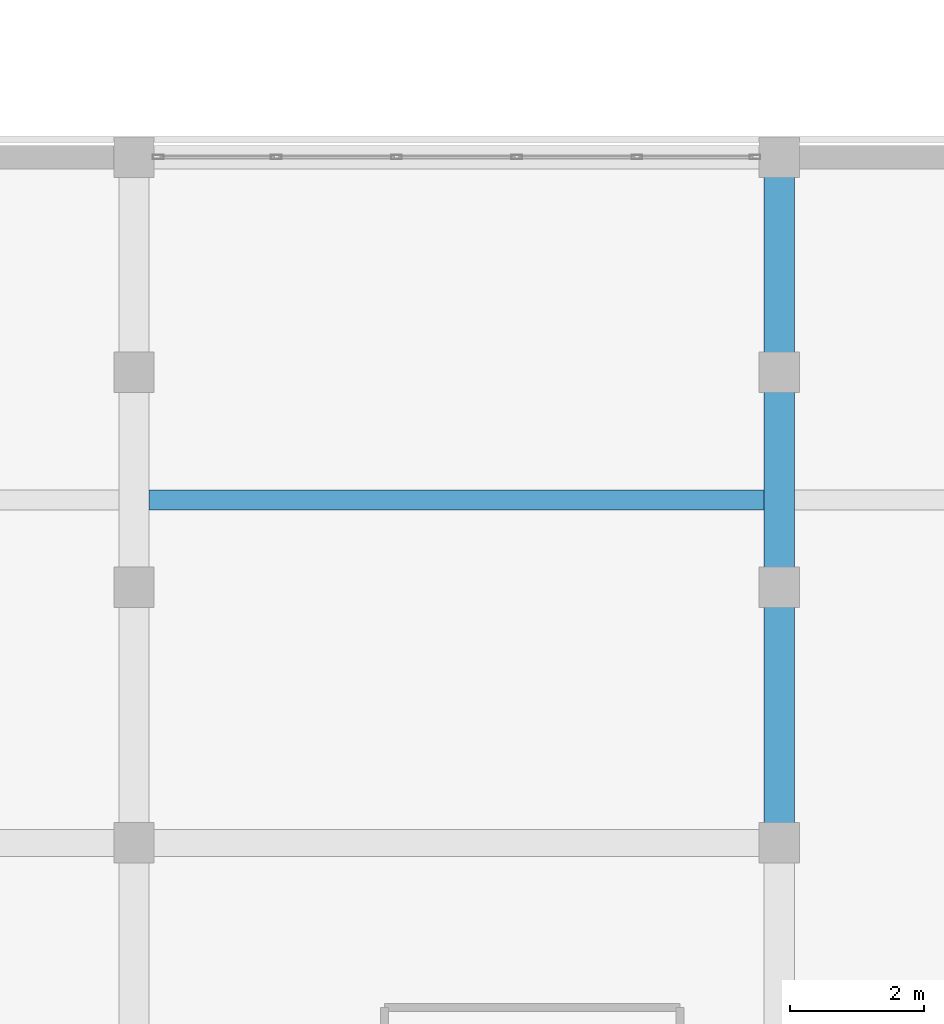
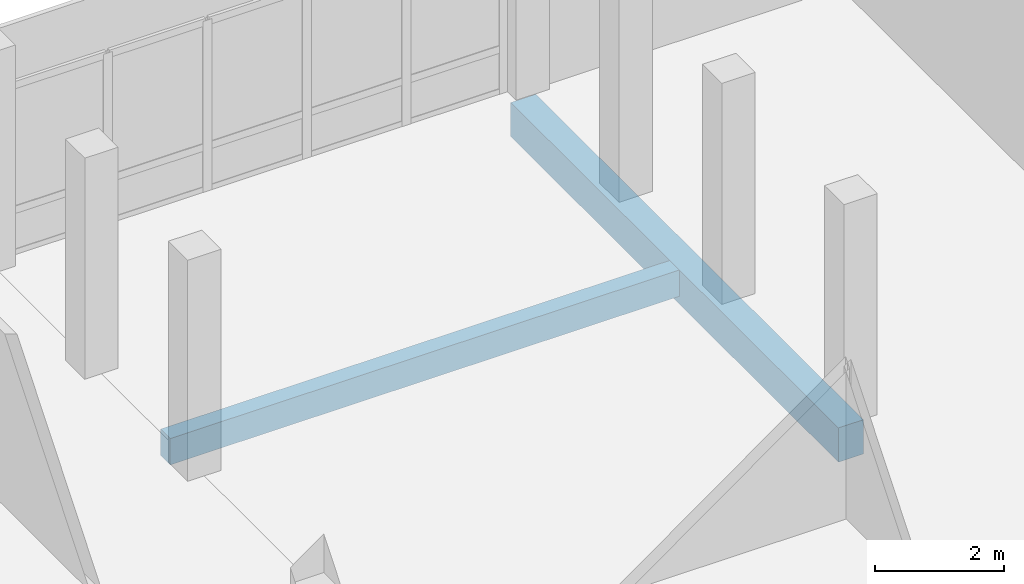
# One storey, part 21 of 93: 2 beams.
"""IFC4 building model written with IfcOpenShell, lengths in metres."""

from ifc_helpers import new_model, si_unit, direction, frame, origin, origin_2d, place, context, subcontext, project, spatial, rectangle, extrude, material, material_profile, profile_set, type_object, element, save


model = new_model("IFC4")

# Units and contexts
model_context = context("Model", 3, precision=1e-05, world=origin(), true_north=direction((0.0, 1.0)))
body_context = subcontext(model_context, "Body", "Model", "MODEL_VIEW")
ifc_project = project(units=[si_unit("LENGTHUNIT", "METRE"), si_unit("AREAUNIT", "SQUARE_METRE"), si_unit("VOLUMEUNIT", "CUBIC_METRE"), si_unit("PLANEANGLEUNIT", "RADIAN"), si_unit("MASSUNIT", "GRAM", prefix="KILO")], contexts=[model_context])

# Site, building, storey
site_placement = place(None, origin())
site = spatial("IfcSite", under=ifc_project, at=site_placement, CompositionType="ELEMENT")
building_placement = place(site_placement, origin())
building = spatial("IfcBuilding", under=site, at=building_placement, Name="Vondelvale Polytechnic", CompositionType="ELEMENT")
storey_placement = place(building_placement, frame((0.0, 0.0, 18.0)))
storey = spatial("IfcBuildingStorey", under=building, at=storey_placement, Name="L04", CompositionType="ELEMENT", Elevation=18.0)

# Beams
ifc_material = material(Name="Concrete N40 (f'c = 40 MPa)", Category="concrete")
ifc_material_profile_1 = material_profile(ifc_material, rectangle(XDim=0.449951171875, YDim=0.64990234375, at=origin_2d()), Name="RC-BM-450x650")
ifc_profile_set_1 = profile_set([ifc_material_profile_1], Name="Concrete N40 (f'c = 40 MPa)")
beam_type_1 = type_object("IfcBeamType", Name="BM-RC450x650", PredefinedType="BEAM", material=ifc_profile_set_1)
beam_1_placement = place(storey_placement, frame((28.800048828125, 30.60009765625, -0.574951171875), z_axis=(0.0, 1.0, 0.0), x_axis=(-1.0, 0.0, 0.0)))
element("IfcBeam", 1, at=beam_1_placement, inside=storey, type_object=beam_type_1, Name="L04 B B-04", PredefinedType="BEAM", context=body_context, shape_type="SweptSolid", body=[
    extrude(rectangle(XDim=0.449951171875, YDim=0.64990234375, at=origin_2d()), origin(), (0.0, 0.0, 1.0), 10.199951171875),
])
ifc_material_profile_2 = material_profile(ifc_material, rectangle(XDim=0.300048828125, YDim=0.5, at=origin_2d()), Name="RC-JST-300x500")
ifc_profile_set_2 = profile_set([ifc_material_profile_2], Name="Concrete N40 (f'c = 40 MPa)")
beam_type_2 = type_object("IfcBeamType", Name="JST-RC300x500", PredefinedType="JOIST", material=ifc_profile_set_2)
beam_2_placement = place(storey_placement, frame((19.425048828125, 35.699951171875, -0.5), z_axis=(1.0, 0.0, 0.0), x_axis=(0.0, 1.0, 0.0)))
element("IfcBeam", 2, at=beam_2_placement, inside=storey, type_object=beam_type_2, Name="L04 J J-02", PredefinedType="JOIST", context=body_context, shape_type="SweptSolid", body=[
    extrude(rectangle(XDim=0.300048828125, YDim=0.5, at=origin_2d()), origin(), (0.0, 0.0, 1.0), 9.14990234375),
])

save(model, "model.ifc")
